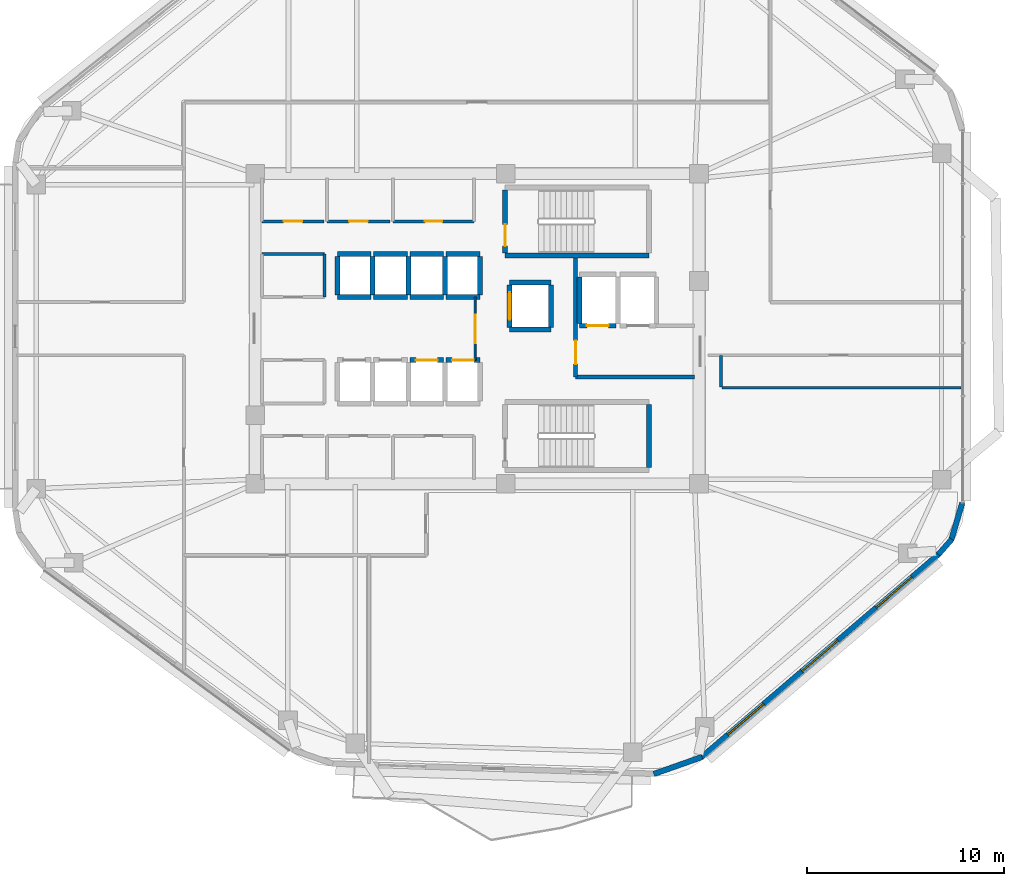
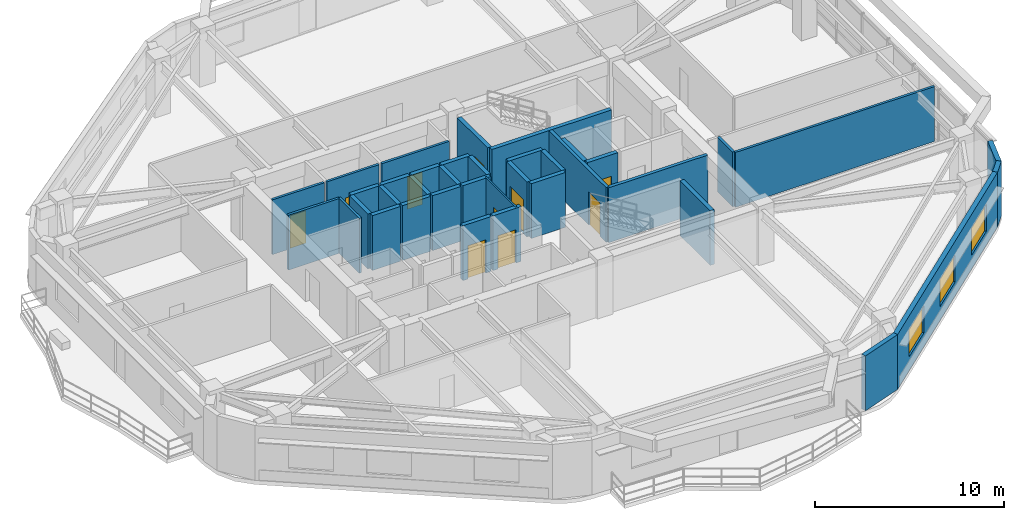
# One storey, part 9 of 14: 38 walls, 10 doors, 3 windows, 13 openings.
"""IFC4 building model written with IfcOpenShell, lengths in metres."""

from ifc_helpers import new_model, si_unit, direction, frame, frame_2d, origin, place, context, subcontext, project, spatial, rectangle, extrude, material, layer, layer_set, type_object, element, fill, save


model = new_model("IFC4")

# Units and contexts
model_context = context("Model", 3, precision=1e-05, world=origin(), true_north=direction((0.0, 1.0)))
body_context = subcontext(model_context, "Body", "Model", "MODEL_VIEW")
ifc_project = project(units=[si_unit("LENGTHUNIT", "METRE"), si_unit("AREAUNIT", "SQUARE_METRE"), si_unit("VOLUMEUNIT", "CUBIC_METRE"), si_unit("PLANEANGLEUNIT", "RADIAN"), si_unit("MASSUNIT", "GRAM", prefix="KILO")], contexts=[model_context])

# Site, building, storey
site_placement = place(None, origin())
site = spatial("IfcSite", under=ifc_project, at=site_placement, CompositionType="ELEMENT")
building_placement = place(site_placement, origin())
building = spatial("IfcBuilding", under=site, at=building_placement, Name="Zulverin Broadcast Headquarters", CompositionType="ELEMENT")
storey_placement = place(building_placement, frame((0.0, 0.0, 178.199951171875)))
storey = spatial("IfcBuildingStorey", under=building, at=storey_placement, Name="L45", CompositionType="ELEMENT", Elevation=178.199951171875)

# Wall, openings, windows
ifc_material_1 = material(Name="Insulated pale-metal clad concrete spandrel C40/50", Category="concrete")
ifc_layer_1 = layer(ifc_material_1, 0.280029296875, Name="Insulated pale-metal clad concrete spandrel C40/50", Category="concrete")
ifc_layer_set_1 = layer_set([ifc_layer_1], Name="Insulated pale-metal clad concrete spandrel C40/50")
wall_type_1 = type_object("IfcWallType", Name="WL-EXT-280", PredefinedType="STANDARD", material=ifc_layer_set_1)
wall_1_placement = place(storey_placement, frame((48.38525390625, 3.413818359375, 0.0), z_axis=(0.0, 0.0, 1.0), x_axis=(0.759700260779, 0.650273414628, 0.0)))
wall_1 = element("IfcWall", 1, at=wall_1_placement, inside=storey, type_object=wall_type_1, Name="L45 Pale-Metal Clad Spandrel Wall 2", PredefinedType="STANDARD", context=body_context, shape_type="SweptSolid", body=[
    extrude(rectangle(XDim=15.880859375, YDim=0.280029296875, at=frame_2d((7.9404296875, 0.0))), origin(), (0.0, 0.0, 1.0), 3.5400390625),
])
opening_1_placement = place(wall_1_placement, frame((1.780029296875, 0.0, 0.89990234375)))
opening_1 = element("IfcOpeningElement", 2, at=opening_1_placement, cuts=wall_1, Name="Opening W-L45-E21", PredefinedType="OPENING", context=body_context, shape_type="SweptSolid", body=[
    extrude(rectangle(XDim=2.39990234375, YDim=1.75, at=frame_2d((1.199951171875, 0.875))), frame((0.0, 0.14990234375, 0.0), z_axis=(0.0, -1.0, 0.0), x_axis=(1.0, 0.0, 0.0)), (0.0, 0.0, 1.0), 0.300048828125),
])
opening_2_placement = place(wall_1_placement, frame((6.740478515625, 0.0, 0.89990234375)))
opening_2 = element("IfcOpeningElement", 3, at=opening_2_placement, cuts=wall_1, Name="Opening W-L45-E22", PredefinedType="OPENING", context=body_context, shape_type="SweptSolid", body=[
    extrude(rectangle(XDim=2.39990234375, YDim=1.75, at=frame_2d((1.199951171875, 0.875))), frame((0.0, 0.14990234375, 0.0), z_axis=(0.0, -1.0, 0.0), x_axis=(1.0, 0.0, 0.0)), (0.0, 0.0, 1.0), 0.300048828125),
])
opening_3_placement = place(wall_1_placement, frame((11.70068359375, 0.0, 0.89990234375)))
opening_3 = element("IfcOpeningElement", 4, at=opening_3_placement, cuts=wall_1, Name="Opening W-L45-E23", PredefinedType="OPENING", context=body_context, shape_type="SweptSolid", body=[
    extrude(rectangle(XDim=2.39990234375, YDim=1.75, at=frame_2d((1.199951171875, 0.875))), frame((0.0, 0.14990234375, 0.0), z_axis=(0.0, -1.0, 0.0), x_axis=(1.0, 0.0, 0.0)), (0.0, 0.0, 1.0), 0.300048828125),
])
ifc_material_2 = material(Name="Pale anodized aluminium frame with solar-control low-E double glazing", Category="aluminium")
window_type = type_object("IfcWindowType", Name="WIN-RIB-2400", PartitioningType="SINGLE_PANEL", PredefinedType="WINDOW", material=ifc_material_2)
window_1_placement = place(opening_1_placement, origin())
window_1 = element("IfcWindow", 5, at=window_1_placement, inside=storey, type_object=window_type, Name="L45 Ribbon Glazing Window 2 1", OverallHeight=1.75, OverallWidth=2.39990234375, PartitioningType="SINGLE_PANEL", PredefinedType="WINDOW", context=body_context, shape_type="SweptSolid", body=[
    extrude(rectangle(XDim=2.39990234375, YDim=1.75, at=frame_2d((1.199951171875, 0.875))), frame((0.0, 0.030029296875, 0.0), z_axis=(0.0, -1.0, 0.0), x_axis=(1.0, 0.0, 0.0)), (0.0, 0.0, 1.0), 0.06005859375),
])
fill(opening_1, window_1)
window_2_placement = place(opening_2_placement, origin())
window_2 = element("IfcWindow", 6, at=window_2_placement, inside=storey, type_object=window_type, Name="L45 Ribbon Glazing Window 2 2", OverallHeight=1.75, OverallWidth=2.39990234375, PartitioningType="SINGLE_PANEL", PredefinedType="WINDOW", context=body_context, shape_type="SweptSolid", body=[
    extrude(rectangle(XDim=2.39990234375, YDim=1.75, at=frame_2d((1.199951171875, 0.875))), frame((0.0, 0.030029296875, 0.0), z_axis=(0.0, -1.0, 0.0), x_axis=(1.0, 0.0, 0.0)), (0.0, 0.0, 1.0), 0.06005859375),
])
fill(opening_2, window_2)
window_3_placement = place(opening_3_placement, origin())
window_3 = element("IfcWindow", 7, at=window_3_placement, inside=storey, type_object=window_type, Name="L45 Ribbon Glazing Window 2 3", OverallHeight=1.75, OverallWidth=2.39990234375, PartitioningType="SINGLE_PANEL", PredefinedType="WINDOW", context=body_context, shape_type="SweptSolid", body=[
    extrude(rectangle(XDim=2.39990234375, YDim=1.75, at=frame_2d((1.199951171875, 0.875))), frame((0.0, 0.030029296875, 0.0), z_axis=(0.0, -1.0, 0.0), x_axis=(1.0, 0.0, 0.0)), (0.0, 0.0, 1.0), 0.06005859375),
])
fill(opening_3, window_3)

# Walls
wall_2_placement = place(storey_placement, frame((45.974609375, 2.576416015625, 0.0), z_axis=(0.0, 0.0, 1.0), x_axis=(0.943377643365, 0.331720698781, 0.0)))
element("IfcWall", 8, at=wall_2_placement, inside=storey, type_object=wall_type_1, Name="L45 Wind-Shaped Corner Spandrel Wall 1-1", PredefinedType="STANDARD", context=body_context, shape_type="SweptSolid", body=[
    extrude(rectangle(XDim=2.6025390625, YDim=0.280029296875, at=frame_2d((1.30126953125, 0.0))), origin(), (0.0, 0.0, 1.0), 3.5400390625),
])
wall_3_placement = place(storey_placement, frame((60.435791015625, 13.7265625, 0.0), z_axis=(0.0, 0.0, 1.0), x_axis=(0.658571618609, 0.752518055041, 0.0)))
element("IfcWall", 9, at=wall_3_placement, inside=storey, type_object=wall_type_1, Name="L45 Wind-Shaped Corner Spandrel Wall 2-1", PredefinedType="STANDARD", context=body_context, shape_type="SweptSolid", body=[
    extrude(rectangle(XDim=1.03173828125, YDim=0.280029296875, at=frame_2d((0.515869140625, 0.0))), origin(), (0.0, 0.0, 1.0), 3.5400390625),
])
wall_4_placement = place(storey_placement, frame((61.08642578125, 14.450439453125, 0.0), z_axis=(0.0, 0.0, 1.0), x_axis=(0.283596460917, 0.958943714383, 0.0)))
element("IfcWall", 10, at=wall_4_placement, inside=storey, type_object=wall_type_1, Name="L45 Wind-Shaped Corner Spandrel Wall 2-2", PredefinedType="STANDARD", context=body_context, shape_type="SweptSolid", body=[
    extrude(rectangle(XDim=1.9775390625, YDim=0.280029296875, at=frame_2d((0.98876953125, 0.0))), origin(), (0.0, 0.0, 1.0), 3.5400390625),
])

# Wall, opening, door
ifc_material_3 = material(Name="Concrete C40/50", Category="concrete")
ifc_layer_2 = layer(ifc_material_3, 0.199951171875, Name="Concrete C40/50", Category="concrete")
ifc_layer_set_2 = layer_set([ifc_layer_2], Name="Concrete C40/50")
wall_type_2 = type_object("IfcWallType", Name="WL-FFL-200", PredefinedType="SOLIDWALL", material=ifc_layer_set_2)
wall_5_placement = place(storey_placement, frame((42.0, 22.75, 0.0), z_axis=(0.0, 0.0, 1.0), x_axis=(0.0, 1.0, 0.0)))
wall_5 = element("IfcWall", 11, at=wall_5_placement, inside=storey, type_object=wall_type_2, Name="L45 Firefighting Lift Lobby West Wall", PredefinedType="SOLIDWALL", context=body_context, shape_type="SweptSolid", body=[
    extrude(rectangle(XDim=6.050048828125, YDim=0.199951171875, at=frame_2d((3.02490234375, 0.0))), origin(), (0.0, 0.0, 1.0), 3.5400390625),
])
opening_4_placement = place(wall_5_placement, frame((0.64990234375, 0.0, 0.0)))
opening_4 = element("IfcOpeningElement", 12, at=opening_4_placement, cuts=wall_5, Name="Opening D-L45-FFLW", PredefinedType="OPENING", context=body_context, shape_type="SweptSolid", body=[
    extrude(rectangle(XDim=1.199951171875, YDim=2.14990234375, at=frame_2d((0.60009765625, 1.074951171875))), frame((0.0, 0.10986328125, 0.0), z_axis=(0.0, -1.0, 0.0), x_axis=(1.0, 0.0, 0.0)), (0.0, 0.0, 1.0), 0.219970703125),
])
ifc_material_4 = material(Name="Fire-rated steel leaf and frame", Category="steel")
door_type_1 = type_object("IfcDoorType", Name="DR-FFL-1200", OperationType="SINGLE_SWING_RIGHT", PredefinedType="DOOR", material=ifc_material_4)
door_1_placement = place(opening_4_placement, origin())
door_1 = element("IfcDoor", 13, at=door_1_placement, inside=storey, type_object=door_type_1, Name="L45 Firefighting Lift Lobby Door", OperationType="SINGLE_SWING_RIGHT", OverallHeight=2.14990234375, OverallWidth=1.199951171875, PredefinedType="DOOR", context=body_context, shape_type="SweptSolid", body=[
    extrude(rectangle(XDim=1.199951171875, YDim=2.14990234375, at=frame_2d((0.60009765625, 1.074951171875))), frame((0.0, 0.02490234375, 0.0), z_axis=(0.0, -1.0, 0.0), x_axis=(1.0, 0.0, 0.0)), (0.0, 0.0, 1.0), 0.050048828125),
])
fill(opening_4, door_1)

# Wall
wall_6_placement = place(storey_placement, frame((42.0, 22.75, 0.0), z_axis=(0.0, 0.0, 1.0), x_axis=(1.0, 0.0, 0.0)))
element("IfcWall", 14, at=wall_6_placement, inside=storey, type_object=wall_type_2, Name="L45 Firefighting Lift Lobby South Wall", PredefinedType="SOLIDWALL", context=body_context, shape_type="SweptSolid", body=[
    extrude(rectangle(XDim=6.050048828125, YDim=0.199951171875, at=frame_2d((3.02490234375, 0.0))), origin(), (0.0, 0.0, 1.0), 3.5400390625),
])

# Wall, opening, door
ifc_material_5 = material(Name="Fire-rated acoustic laminated glass screen", Category="glass")
ifc_layer_3 = layer(ifc_material_5, 0.10009765625, Name="Fire-rated acoustic laminated glass screen", Category="glass")
ifc_layer_set_3 = layer_set([ifc_layer_3], Name="Fire-rated acoustic laminated glass screen")
wall_type_3 = type_object("IfcWallType", Name="WL-GLAZ-100", PredefinedType="PARTITIONING", material=ifc_layer_set_3)
wall_7_placement = place(storey_placement, frame((36.89990234375, 23.60009765625, 0.0), z_axis=(0.0, 0.0, 1.0), x_axis=(0.0, 1.0, 0.0)))
wall_7 = element("IfcWall", 15, at=wall_7_placement, inside=storey, type_object=wall_type_3, Name="L45 Core Goods & Stair Hall Screen", PredefinedType="PARTITIONING", context=body_context, shape_type="SweptSolid", body=[
    extrude(rectangle(XDim=3.199951171875, YDim=0.10009765625, at=frame_2d((1.60009765625, 0.0))), origin(), (0.0, 0.0, 1.0), 3.5400390625),
])
opening_5_placement = place(wall_7_placement, frame((0.85009765625, 0.0, 0.0)))
opening_5 = element("IfcOpeningElement", 16, at=opening_5_placement, cuts=wall_7, Name="Opening D-L45-CL3", PredefinedType="OPENING", context=body_context, shape_type="SweptSolid", body=[
    extrude(rectangle(XDim=1.449951171875, YDim=2.1201171875, at=frame_2d((0.72509765625, 1.06005859375))), frame((0.0, 0.06005859375, 0.0), z_axis=(0.0, -1.0, 0.0), x_axis=(1.0, 0.0, 0.0)), (0.0, 0.0, 1.0), 0.1201171875),
])
ifc_material_6 = material(Name="Fire-rated acoustic glazed double leaf", Category="glass")
door_type_2 = type_object("IfcDoorType", Name="DR-GLZ-1450", OperationType="DOUBLE_DOOR_SINGLE_SWING", PredefinedType="DOOR", material=ifc_material_6)
door_2_placement = place(opening_5_placement, origin())
door_2 = element("IfcDoor", 17, at=door_2_placement, inside=storey, type_object=door_type_2, Name="L45 Core Goods & Stair Hall Door", OperationType="DOUBLE_DOOR_SINGLE_SWING", OverallHeight=2.1201171875, OverallWidth=1.449951171875, PredefinedType="DOOR", context=body_context, shape_type="SweptSolid", body=[
    extrude(rectangle(XDim=1.449951171875, YDim=2.1201171875, at=frame_2d((0.72509765625, 1.06005859375))), frame((0.0, 0.02490234375, 0.0), z_axis=(0.0, -1.0, 0.0), x_axis=(1.0, 0.0, 0.0)), (0.0, 0.0, 1.0), 0.050048828125),
])
fill(opening_5, door_2)

ifc_material_7 = material(Name="Fire-rated gypsum stud partition", Category="gypsum")
ifc_layer_4 = layer(ifc_material_7, 0.14990234375, Name="Fire-rated gypsum stud partition", Category="gypsum")
ifc_layer_set_4 = layer_set([ifc_layer_4], Name="Fire-rated gypsum stud partition")
wall_type_4 = type_object("IfcWallType", Name="WL-PART-150", PredefinedType="PARTITIONING", material=ifc_layer_set_4)
wall_8_placement = place(storey_placement, frame((26.070068359375, 30.64990234375, 0.0), z_axis=(0.0, 0.0, 1.0), x_axis=(1.0, 0.0, 0.0)))
wall_8 = element("IfcWall", 18, at=wall_8_placement, inside=storey, type_object=wall_type_4, Name="L45 Core Male WC Front Wall", PredefinedType="PARTITIONING", context=body_context, shape_type="SweptSolid", body=[
    extrude(rectangle(XDim=3.14990234375, YDim=0.14990234375, at=frame_2d((1.574951171875, 0.0))), origin(), (0.0, 0.0, 1.0), 3.5400390625),
])
opening_6_placement = place(wall_8_placement, frame((1.10009765625, 0.0, 0.0)))
opening_6 = element("IfcOpeningElement", 19, at=opening_6_placement, cuts=wall_8, Name="Opening D-L45-NC1", PredefinedType="OPENING", context=body_context, shape_type="SweptSolid", body=[
    extrude(rectangle(XDim=0.949951171875, YDim=2.10009765625, at=frame_2d((0.47509765625, 1.050048828125))), frame((0.0, 0.0849609375, 0.0), z_axis=(0.0, -1.0, 0.0), x_axis=(1.0, 0.0, 0.0)), (0.0, 0.0, 1.0), 0.169921875),
])
ifc_material_8 = material(Name="Fire-rated moisture-resistant laminate leaf", Category="wood")
door_type_3 = type_object("IfcDoorType", Name="DR-WC-950", OperationType="SINGLE_SWING_LEFT", PredefinedType="DOOR", material=ifc_material_8)
door_3_placement = place(opening_6_placement, origin())
door_3 = element("IfcDoor", 20, at=door_3_placement, inside=storey, type_object=door_type_3, Name="L45 Male WC Door", OperationType="SINGLE_SWING_LEFT", OverallHeight=2.10009765625, OverallWidth=0.949951171875, PredefinedType="DOOR", context=body_context, shape_type="SweptSolid", body=[
    extrude(rectangle(XDim=0.949951171875, YDim=2.10009765625, at=frame_2d((0.47509765625, 1.050048828125))), frame((0.0, 0.02490234375, 0.0), z_axis=(0.0, -1.0, 0.0), x_axis=(1.0, 0.0, 0.0)), (0.0, 0.0, 1.0), 0.050048828125),
])
fill(opening_6, door_3)

wall_9_placement = place(storey_placement, frame((29.3798828125, 30.64990234375, 0.0), z_axis=(0.0, 0.0, 1.0), x_axis=(1.0, 0.0, 0.0)))
wall_9 = element("IfcWall", 21, at=wall_9_placement, inside=storey, type_object=wall_type_4, Name="L45 Core Accessible WC Front Wall", PredefinedType="PARTITIONING", context=body_context, shape_type="SweptSolid", body=[
    extrude(rectangle(XDim=3.190185546875, YDim=0.14990234375, at=frame_2d((1.59521484375, 0.0))), origin(), (0.0, 0.0, 1.0), 3.5400390625),
])
opening_7_placement = place(wall_9_placement, frame((1.1201171875, 0.0, 0.0)))
opening_7 = element("IfcOpeningElement", 22, at=opening_7_placement, cuts=wall_9, Name="Opening D-L45-NC2", PredefinedType="OPENING", context=body_context, shape_type="SweptSolid", body=[
    extrude(rectangle(XDim=0.949951171875, YDim=2.10009765625, at=frame_2d((0.47509765625, 1.050048828125))), frame((0.0, 0.0849609375, 0.0), z_axis=(0.0, -1.0, 0.0), x_axis=(1.0, 0.0, 0.0)), (0.0, 0.0, 1.0), 0.169921875),
])
door_4_placement = place(opening_7_placement, origin())
door_4 = element("IfcDoor", 23, at=door_4_placement, inside=storey, type_object=door_type_3, Name="L45 Accessible WC Door", OperationType="SINGLE_SWING_RIGHT", OverallHeight=2.10009765625, OverallWidth=0.949951171875, PredefinedType="DOOR", context=body_context, shape_type="SweptSolid", body=[
    extrude(rectangle(XDim=0.949951171875, YDim=2.10009765625, at=frame_2d((0.47509765625, 1.050048828125))), frame((0.0, 0.02490234375, 0.0), z_axis=(0.0, -1.0, 0.0), x_axis=(1.0, 0.0, 0.0)), (0.0, 0.0, 1.0), 0.050048828125),
])
fill(opening_7, door_4)

wall_10_placement = place(storey_placement, frame((32.72998046875, 30.64990234375, 0.0), z_axis=(0.0, 0.0, 1.0), x_axis=(1.0, 0.0, 0.0)))
wall_10 = element("IfcWall", 24, at=wall_10_placement, inside=storey, type_object=wall_type_4, Name="L45 Core Electrical Distribution Riser Front Wall", PredefinedType="PARTITIONING", context=body_context, shape_type="SweptSolid", body=[
    extrude(rectangle(XDim=4.1201171875, YDim=0.14990234375, at=frame_2d((2.06005859375, 0.0))), origin(), (0.0, 0.0, 1.0), 3.5400390625),
])
opening_8_placement = place(wall_10_placement, frame((1.610107421875, 0.0, 0.0)))
opening_8 = element("IfcOpeningElement", 25, at=opening_8_placement, cuts=wall_10, Name="Opening D-L45-NC3", PredefinedType="OPENING", context=body_context, shape_type="SweptSolid", body=[
    extrude(rectangle(XDim=0.89990234375, YDim=2.10009765625, at=frame_2d((0.449951171875, 1.050048828125))), frame((0.0, 0.0849609375, 0.0), z_axis=(0.0, -1.0, 0.0), x_axis=(1.0, 0.0, 0.0)), (0.0, 0.0, 1.0), 0.169921875),
])
ifc_material_9 = material(Name="Powder-coated steel access leaf", Category="steel")
door_type_4 = type_object("IfcDoorType", Name="DR-RISER-900", OperationType="SINGLE_SWING_LEFT", PredefinedType="DOOR", material=ifc_material_9)
door_5_placement = place(opening_8_placement, origin())
door_5 = element("IfcDoor", 26, at=door_5_placement, inside=storey, type_object=door_type_4, Name="L45 Electrical Distribution Riser Door", OperationType="SINGLE_SWING_LEFT", OverallHeight=2.10009765625, OverallWidth=0.89990234375, PredefinedType="DOOR", context=body_context, shape_type="SweptSolid", body=[
    extrude(rectangle(XDim=0.89990234375, YDim=2.10009765625, at=frame_2d((0.449951171875, 1.050048828125))), frame((0.0, 0.02490234375, 0.0), z_axis=(0.0, -1.0, 0.0), x_axis=(1.0, 0.0, 0.0)), (0.0, 0.0, 1.0), 0.050048828125),
])
fill(opening_8, door_5)

# Walls
wall_11_placement = place(storey_placement, frame((26.070068359375, 29.0, 0.0), z_axis=(0.0, 0.0, 1.0), x_axis=(1.0, 0.0, 0.0)))
element("IfcWall", 27, at=wall_11_placement, inside=storey, type_object=wall_type_4, Name="L45 Core UPS Battery Store N Wall", PredefinedType="PARTITIONING", context=body_context, shape_type="SweptSolid", body=[
    extrude(rectangle(XDim=3.179931640625, YDim=0.14990234375, at=frame_2d((1.58984375, 0.0))), origin(), (0.0, 0.0, 1.0), 3.5400390625),
])
wall_12_placement = place(storey_placement, frame((29.25, 26.800048828125, 0.0), z_axis=(0.0, 0.0, 1.0), x_axis=(0.0, 1.0, 0.0)))
element("IfcWall", 28, at=wall_12_placement, inside=storey, type_object=wall_type_4, Name="L45 Core UPS Battery Store E Wall", PredefinedType="PARTITIONING", context=body_context, shape_type="SweptSolid", body=[
    extrude(rectangle(XDim=2.199951171875, YDim=0.14990234375, at=frame_2d((1.10009765625, 0.0))), origin(), (0.0, 0.0, 1.0), 3.5400390625),
])
wall_13_placement = place(storey_placement, frame((49.39990234375, 22.239990234375, 0.0), z_axis=(0.0, 0.0, 1.0), x_axis=(0.0, 1.0, 0.0)))
element("IfcWall", 29, at=wall_13_placement, inside=storey, type_object=wall_type_4, Name="L45 Room Partition Wall RP-02", PredefinedType="PARTITIONING", context=body_context, shape_type="SweptSolid", body=[
    extrude(rectangle(XDim=1.609130859375, YDim=0.14990234375, at=frame_2d((0.8046875, 0.0))), origin(), (0.0, 0.0, 1.0), 3.5400390625),
])
wall_14_placement = place(storey_placement, frame((49.43994140625, 22.199951171875, 0.0), z_axis=(0.0, 0.0, 1.0), x_axis=(1.0, 0.0, 0.0)))
element("IfcWall", 30, at=wall_14_placement, inside=storey, type_object=wall_type_4, Name="L45 Room Partition Wall RP-08", PredefinedType="PARTITIONING", context=body_context, shape_type="SweptSolid", body=[
    extrude(rectangle(XDim=12.155029296875, YDim=0.14990234375, at=frame_2d((6.07763671875, 0.0))), origin(), (0.0, 0.0, 1.0), 3.5400390625),
])
ifc_material_10 = material(Name="Concrete C50/60", Category="concrete")
ifc_layer_5 = layer(ifc_material_10, 0.25, Name="Concrete C50/60", Category="concrete")
ifc_layer_set_5 = layer_set([ifc_layer_5], Name="Concrete C50/60")
wall_type_5 = type_object("IfcWallType", Name="WL-SHAFT-250", PredefinedType="SHEAR", material=ifc_layer_set_5)
wall_15_placement = place(storey_placement, frame((38.425048828125, 28.925048828125, 0.0), z_axis=(0.0, 0.0, 1.0), x_axis=(1.0, 0.0, 0.0)))
element("IfcWall", 31, at=wall_15_placement, inside=storey, type_object=wall_type_5, Name="L45 ST-1 Enclosure Wall S", PredefinedType="SHEAR", context=body_context, shape_type="SweptSolid", body=[
    extrude(rectangle(XDim=7.300048828125, YDim=0.25, at=frame_2d((3.64990234375, 0.0))), origin(), (0.0, 0.0, 1.0), 3.5400390625),
])

# Wall, opening, door
wall_16_placement = place(storey_placement, frame((38.425048828125, 29.050048828125, 0.0), z_axis=(0.0, 0.0, 1.0), x_axis=(0.0, 1.0, 0.0)))
wall_16 = element("IfcWall", 32, at=wall_16_placement, inside=storey, type_object=wall_type_5, Name="L45 ST-1 Enclosure Wall W", PredefinedType="SHEAR", context=body_context, shape_type="SweptSolid", body=[
    extrude(rectangle(XDim=3.199951171875, YDim=0.25, at=frame_2d((1.60009765625, 0.0))), origin(), (0.0, 0.0, 1.0), 3.5400390625),
])
opening_9_placement = place(wall_16_placement, frame((0.35009765625, 0.0, 0.0)))
opening_9 = element("IfcOpeningElement", 33, at=opening_9_placement, cuts=wall_16, Name="Opening D-L45-ST-1", PredefinedType="OPENING", context=body_context, shape_type="SweptSolid", body=[
    extrude(rectangle(XDim=1.10009765625, YDim=2.14990234375, at=frame_2d((0.550048828125, 1.074951171875))), frame((0.0, 0.135009765625, 0.0), z_axis=(0.0, -1.0, 0.0), x_axis=(1.0, 0.0, 0.0)), (0.0, 0.0, 1.0), 0.27001953125),
])
door_type_5 = type_object("IfcDoorType", Name="DR-STAIR-1100", OperationType="SINGLE_SWING_LEFT", PredefinedType="DOOR", material=ifc_material_4)
door_6_placement = place(opening_9_placement, origin())
door_6 = element("IfcDoor", 34, at=door_6_placement, inside=storey, type_object=door_type_5, Name="L45 Exit Stair ST-1 Fire Door", OperationType="SINGLE_SWING_LEFT", OverallHeight=2.14990234375, OverallWidth=1.10009765625, PredefinedType="DOOR", context=body_context, shape_type="SweptSolid", body=[
    extrude(rectangle(XDim=1.10009765625, YDim=2.14990234375, at=frame_2d((0.550048828125, 1.074951171875))), frame((0.0, 0.02490234375, 0.0), z_axis=(0.0, -1.0, 0.0), x_axis=(1.0, 0.0, 0.0)), (0.0, 0.0, 1.0), 0.050048828125),
])
fill(opening_9, door_6)

# Wall
wall_17_placement = place(storey_placement, frame((45.72509765625, 18.14990234375, 0.0), z_axis=(0.0, 0.0, 1.0), x_axis=(0.0, 1.0, 0.0)))
element("IfcWall", 35, at=wall_17_placement, inside=storey, type_object=wall_type_5, Name="L45 ST-2 Enclosure Wall E", PredefinedType="SHEAR", context=body_context, shape_type="SweptSolid", body=[
    extrude(rectangle(XDim=3.2001953125, YDim=0.25, at=frame_2d((1.60009765625, 0.0))), origin(), (0.0, 0.0, 1.0), 3.5400390625),
])

# Wall, opening, door
wall_18_placement = place(storey_placement, frame((33.580078125, 23.60009765625, 0.0), z_axis=(0.0, 0.0, 1.0), x_axis=(1.0, 0.0, 0.0)))
wall_18 = element("IfcWall", 36, at=wall_18_placement, inside=storey, type_object=wall_type_5, Name="L45 Lift PL-M3 Shaft Wall N", PredefinedType="SHEAR", context=body_context, shape_type="SweptSolid", body=[
    extrude(rectangle(XDim=1.719970703125, YDim=0.25, at=frame_2d((0.85986328125, 0.0))), origin(), (0.0, 0.0, 1.0), 3.5400390625),
])
opening_10_placement = place(wall_18_placement, frame((0.31005859375, 0.0, 0.0)))
opening_10 = element("IfcOpeningElement", 37, at=opening_10_placement, cuts=wall_18, Name="Opening LD-PL-M3-L45", PredefinedType="OPENING", context=body_context, shape_type="SweptSolid", body=[
    extrude(rectangle(XDim=1.10009765625, YDim=2.14990234375, at=frame_2d((0.550048828125, 1.074951171875))), frame((0.0, 0.135009765625, 0.0), z_axis=(0.0, -1.0, 0.0), x_axis=(1.0, 0.0, 0.0)), (0.0, 0.0, 1.0), 0.27001953125),
])
ifc_material_11 = material(Name="Brushed stainless steel landing", Category="steel")
door_type_6 = type_object("IfcDoorType", Name="LD-PASS-1100", OperationType="DOUBLE_DOOR_SLIDING", PredefinedType="DOOR", material=ifc_material_11)
door_7_placement = place(opening_10_placement, origin())
door_7 = element("IfcDoor", 38, at=door_7_placement, inside=storey, type_object=door_type_6, Name="L45 Lift PL-M3 Sliding Landing Door", OperationType="DOUBLE_DOOR_SLIDING", OverallHeight=2.14990234375, OverallWidth=1.10009765625, PredefinedType="DOOR", context=body_context, shape_type="SweptSolid", body=[
    extrude(rectangle(XDim=1.10009765625, YDim=2.14990234375, at=frame_2d((0.550048828125, 1.074951171875))), frame((0.0, 0.02490234375, 0.0), z_axis=(0.0, -1.0, 0.0), x_axis=(1.0, 0.0, 0.0)), (0.0, 0.0, 1.0), 0.050048828125),
])
fill(opening_10, door_7)

wall_19_placement = place(storey_placement, frame((35.419921875, 23.60009765625, 0.0), z_axis=(0.0, 0.0, 1.0), x_axis=(1.0, 0.0, 0.0)))
wall_19 = element("IfcWall", 39, at=wall_19_placement, inside=storey, type_object=wall_type_5, Name="L45 Lift PL-M4 Shaft Wall N", PredefinedType="SHEAR", context=body_context, shape_type="SweptSolid", body=[
    extrude(rectangle(XDim=1.719970703125, YDim=0.25, at=frame_2d((0.85986328125, 0.0))), origin(), (0.0, 0.0, 1.0), 3.5400390625),
])
opening_11_placement = place(wall_19_placement, frame((0.31005859375, 0.0, 0.0)))
opening_11 = element("IfcOpeningElement", 40, at=opening_11_placement, cuts=wall_19, Name="Opening LD-PL-M4-L45", PredefinedType="OPENING", context=body_context, shape_type="SweptSolid", body=[
    extrude(rectangle(XDim=1.10009765625, YDim=2.14990234375, at=frame_2d((0.550048828125, 1.074951171875))), frame((0.0, 0.135009765625, 0.0), z_axis=(0.0, -1.0, 0.0), x_axis=(1.0, 0.0, 0.0)), (0.0, 0.0, 1.0), 0.27001953125),
])
door_8_placement = place(opening_11_placement, origin())
door_8 = element("IfcDoor", 41, at=door_8_placement, inside=storey, type_object=door_type_6, Name="L45 Lift PL-M4 Sliding Landing Door", OperationType="DOUBLE_DOOR_SLIDING", OverallHeight=2.14990234375, OverallWidth=1.10009765625, PredefinedType="DOOR", context=body_context, shape_type="SweptSolid", body=[
    extrude(rectangle(XDim=1.10009765625, YDim=2.14990234375, at=frame_2d((0.550048828125, 1.074951171875))), frame((0.0, 0.02490234375, 0.0), z_axis=(0.0, -1.0, 0.0), x_axis=(1.0, 0.0, 0.0)), (0.0, 0.0, 1.0), 0.050048828125),
])
fill(opening_11, door_8)

# Walls
for number, where, z_axis, x_axis, name in (
    (42, (29.89990234375, 26.800048828125, 0.0), (0.0, 0.0, 1.0), (1.0, 0.0, 0.0), "L45 Lift PL-H1 Shaft Wall S"),
    (43, (29.89990234375, 29.0, 0.0), (0.0, 0.0, 1.0), (1.0, 0.0, 0.0), "L45 Lift PL-H1 Shaft Wall N"),
):
    element("IfcWall", number, at=place(storey_placement, frame(where, z_axis=z_axis, x_axis=x_axis)), inside=storey, type_object=wall_type_5, Name=name, PredefinedType="SHEAR", context=body_context, shape_type="SweptSolid", body=[
        extrude(rectangle(XDim=1.72021484375, YDim=0.25, at=frame_2d((0.860107421875, 0.0))), origin(), (0.0, 0.0, 1.0), 3.5400390625),
    ])
for number, where, z_axis, x_axis, name in (
    (44, (29.89990234375, 26.919921875, 0.0), (0.0, 0.0, 1.0), (0.0, 1.0, 0.0), "L45 Lift PL-H1 Shaft Wall W"),
    (45, (31.679931640625, 26.919921875, 0.0), (0.0, 0.0, 1.0), (0.0, 1.0, 0.0), "L45 Lift PL-H1 Shaft Wall E"),
):
    element("IfcWall", number, at=place(storey_placement, frame(where, z_axis=z_axis, x_axis=x_axis)), inside=storey, type_object=wall_type_5, Name=name, PredefinedType="SHEAR", context=body_context, shape_type="SweptSolid", body=[
        extrude(rectangle(XDim=1.9599609375, YDim=0.25, at=frame_2d((0.97998046875, 0.0))), origin(), (0.0, 0.0, 1.0), 3.5400390625),
    ])
for number, where, z_axis, x_axis, name in (
    (46, (31.739990234375, 26.800048828125, 0.0), (0.0, 0.0, 1.0), (1.0, 0.0, 0.0), "L45 Lift PL-H2 Shaft Wall S"),
    (47, (31.739990234375, 29.0, 0.0), (0.0, 0.0, 1.0), (1.0, 0.0, 0.0), "L45 Lift PL-H2 Shaft Wall N"),
):
    element("IfcWall", number, at=place(storey_placement, frame(where, z_axis=z_axis, x_axis=x_axis)), inside=storey, type_object=wall_type_5, Name=name, PredefinedType="SHEAR", context=body_context, shape_type="SweptSolid", body=[
        extrude(rectangle(XDim=1.719970703125, YDim=0.25, at=frame_2d((0.85986328125, 0.0))), origin(), (0.0, 0.0, 1.0), 3.5400390625),
    ])
wall_20_placement = place(storey_placement, frame((33.52001953125, 26.919921875, 0.0), z_axis=(0.0, 0.0, 1.0), x_axis=(0.0, 1.0, 0.0)))
element("IfcWall", 48, at=wall_20_placement, inside=storey, type_object=wall_type_5, Name="L45 Lift PL-H2 Shaft Wall E", PredefinedType="SHEAR", context=body_context, shape_type="SweptSolid", body=[
    extrude(rectangle(XDim=1.9599609375, YDim=0.25, at=frame_2d((0.97998046875, 0.0))), origin(), (0.0, 0.0, 1.0), 3.5400390625),
])
for number, where, z_axis, x_axis, name in (
    (49, (33.580078125, 26.800048828125, 0.0), (0.0, 0.0, 1.0), (1.0, 0.0, 0.0), "L45 Lift PL-H3 Shaft Wall S"),
    (50, (33.580078125, 29.0, 0.0), (0.0, 0.0, 1.0), (1.0, 0.0, 0.0), "L45 Lift PL-H3 Shaft Wall N"),
):
    element("IfcWall", number, at=place(storey_placement, frame(where, z_axis=z_axis, x_axis=x_axis)), inside=storey, type_object=wall_type_5, Name=name, PredefinedType="SHEAR", context=body_context, shape_type="SweptSolid", body=[
        extrude(rectangle(XDim=1.719970703125, YDim=0.25, at=frame_2d((0.85986328125, 0.0))), origin(), (0.0, 0.0, 1.0), 3.5400390625),
    ])
wall_21_placement = place(storey_placement, frame((35.360107421875, 26.919921875, 0.0), z_axis=(0.0, 0.0, 1.0), x_axis=(0.0, 1.0, 0.0)))
element("IfcWall", 51, at=wall_21_placement, inside=storey, type_object=wall_type_5, Name="L45 Lift PL-H3 Shaft Wall E", PredefinedType="SHEAR", context=body_context, shape_type="SweptSolid", body=[
    extrude(rectangle(XDim=1.9599609375, YDim=0.25, at=frame_2d((0.97998046875, 0.0))), origin(), (0.0, 0.0, 1.0), 3.5400390625),
])
for number, where, z_axis, x_axis, name in (
    (52, (35.419921875, 26.800048828125, 0.0), (0.0, 0.0, 1.0), (1.0, 0.0, 0.0), "L45 Lift PL-H4 Shaft Wall S"),
    (53, (35.419921875, 29.0, 0.0), (0.0, 0.0, 1.0), (1.0, 0.0, 0.0), "L45 Lift PL-H4 Shaft Wall N"),
):
    element("IfcWall", number, at=place(storey_placement, frame(where, z_axis=z_axis, x_axis=x_axis)), inside=storey, type_object=wall_type_5, Name=name, PredefinedType="SHEAR", context=body_context, shape_type="SweptSolid", body=[
        extrude(rectangle(XDim=1.719970703125, YDim=0.25, at=frame_2d((0.85986328125, 0.0))), origin(), (0.0, 0.0, 1.0), 3.5400390625),
    ])
wall_22_placement = place(storey_placement, frame((37.139892578125, 26.919921875, 0.0), z_axis=(0.0, 0.0, 1.0), x_axis=(0.0, 1.0, 0.0)))
element("IfcWall", 54, at=wall_22_placement, inside=storey, type_object=wall_type_5, Name="L45 Lift PL-H4 Shaft Wall E", PredefinedType="SHEAR", context=body_context, shape_type="SweptSolid", body=[
    extrude(rectangle(XDim=1.9599609375, YDim=0.25, at=frame_2d((0.97998046875, 0.0))), origin(), (0.0, 0.0, 1.0), 3.5400390625),
])

# Wall, opening, door
wall_23_placement = place(storey_placement, frame((42.199951171875, 25.35009765625, 0.0), z_axis=(0.0, 0.0, 1.0), x_axis=(1.0, 0.0, 0.0)))
wall_23 = element("IfcWall", 55, at=wall_23_placement, inside=storey, type_object=wall_type_5, Name="L45 Lift FFL-1 Shaft Wall S", PredefinedType="SHEAR", context=body_context, shape_type="SweptSolid", body=[
    extrude(rectangle(XDim=1.85009765625, YDim=0.25, at=frame_2d((0.925048828125, 0.0))), origin(), (0.0, 0.0, 1.0), 3.5400390625),
])
opening_12_placement = place(wall_23_placement, frame((0.375, 0.0, 0.0)))
opening_12 = element("IfcOpeningElement", 56, at=opening_12_placement, cuts=wall_23, Name="Opening LD-FFL-1-L45", PredefinedType="OPENING", context=body_context, shape_type="SweptSolid", body=[
    extrude(rectangle(XDim=1.10009765625, YDim=2.14990234375, at=frame_2d((0.550048828125, 1.074951171875))), frame((0.0, 0.135009765625, 0.0), z_axis=(0.0, -1.0, 0.0), x_axis=(1.0, 0.0, 0.0)), (0.0, 0.0, 1.0), 0.27001953125),
])
ifc_material_12 = material(Name="Fire-rated stainless landing door", Category="steel")
door_type_7 = type_object("IfcDoorType", Name="LD-FFL-1100", OperationType="DOUBLE_DOOR_SLIDING", PredefinedType="DOOR", material=ifc_material_12)
door_9_placement = place(opening_12_placement, origin())
door_9 = element("IfcDoor", 57, at=door_9_placement, inside=storey, type_object=door_type_7, Name="L45 Lift FFL-1 Sliding Landing Door", OperationType="DOUBLE_DOOR_SLIDING", OverallHeight=2.14990234375, OverallWidth=1.10009765625, PredefinedType="DOOR", context=body_context, shape_type="SweptSolid", body=[
    extrude(rectangle(XDim=1.10009765625, YDim=2.14990234375, at=frame_2d((0.550048828125, 1.074951171875))), frame((0.0, 0.02490234375, 0.0), z_axis=(0.0, -1.0, 0.0), x_axis=(1.0, 0.0, 0.0)), (0.0, 0.0, 1.0), 0.050048828125),
])
fill(opening_12, door_9)

# Walls
wall_24_placement = place(storey_placement, frame((42.199951171875, 25.469970703125, 0.0), z_axis=(0.0, 0.0, 1.0), x_axis=(0.0, 1.0, 0.0)))
element("IfcWall", 58, at=wall_24_placement, inside=storey, type_object=wall_type_5, Name="L45 Lift FFL-1 Shaft Wall W", PredefinedType="SHEAR", context=body_context, shape_type="SweptSolid", body=[
    extrude(rectangle(XDim=2.360107421875, YDim=0.25, at=frame_2d((1.18017578125, 0.0))), origin(), (0.0, 0.0, 1.0), 3.5400390625),
])
for number, where, z_axis, x_axis, name in (
    (59, (38.64990234375, 25.14990234375, 0.0), (0.0, 0.0, 1.0), (1.0, 0.0, 0.0), "L45 Lift SVL-1 Shaft Wall S"),
    (60, (38.64990234375, 27.550048828125, 0.0), (0.0, 0.0, 1.0), (1.0, 0.0, 0.0), "L45 Lift SVL-1 Shaft Wall N"),
):
    element("IfcWall", number, at=place(storey_placement, frame(where, z_axis=z_axis, x_axis=x_axis)), inside=storey, type_object=wall_type_5, Name=name, PredefinedType="SHEAR", context=body_context, shape_type="SweptSolid", body=[
        extrude(rectangle(XDim=2.10009765625, YDim=0.25, at=frame_2d((1.050048828125, 0.0))), origin(), (0.0, 0.0, 1.0), 3.5400390625),
    ])

# Wall, opening, door
wall_25_placement = place(storey_placement, frame((38.64990234375, 25.27001953125, 0.0), z_axis=(0.0, 0.0, 1.0), x_axis=(0.0, 1.0, 0.0)))
wall_25 = element("IfcWall", 61, at=wall_25_placement, inside=storey, type_object=wall_type_5, Name="L45 Lift SVL-1 Shaft Wall W", PredefinedType="SHEAR", context=body_context, shape_type="SweptSolid", body=[
    extrude(rectangle(XDim=2.159912109375, YDim=0.25, at=frame_2d((1.080078125, 0.0))), origin(), (0.0, 0.0, 1.0), 3.5400390625),
])
opening_13_placement = place(wall_25_placement, frame((0.3798828125, 0.0, 0.0)))
opening_13 = element("IfcOpeningElement", 62, at=opening_13_placement, cuts=wall_25, Name="Opening LD-SVL-1-L45", PredefinedType="OPENING", context=body_context, shape_type="SweptSolid", body=[
    extrude(rectangle(XDim=1.39990234375, YDim=2.199951171875, at=frame_2d((0.699951171875, 1.10009765625))), frame((0.0, 0.135009765625, 0.0), z_axis=(0.0, -1.0, 0.0), x_axis=(1.0, 0.0, 0.0)), (0.0, 0.0, 1.0), 0.27001953125),
])
ifc_material_13 = material(Name="Heavy-duty stainless landing door", Category="steel")
door_type_8 = type_object("IfcDoorType", Name="LD-GOODS-1400", OperationType="DOUBLE_DOOR_SLIDING", PredefinedType="DOOR", material=ifc_material_13)
door_10_placement = place(opening_13_placement, origin())
door_10 = element("IfcDoor", 63, at=door_10_placement, inside=storey, type_object=door_type_8, Name="L45 Lift SVL-1 Sliding Landing Door", OperationType="DOUBLE_DOOR_SLIDING", OverallHeight=2.199951171875, OverallWidth=1.39990234375, PredefinedType="DOOR", context=body_context, shape_type="SweptSolid", body=[
    extrude(rectangle(XDim=1.39990234375, YDim=2.199951171875, at=frame_2d((0.699951171875, 1.10009765625))), frame((0.0, 0.02490234375, 0.0), z_axis=(0.0, -1.0, 0.0), x_axis=(1.0, 0.0, 0.0)), (0.0, 0.0, 1.0), 0.050048828125),
])
fill(opening_13, door_10)

# Wall
wall_26_placement = place(storey_placement, frame((40.75, 25.27001953125, 0.0), z_axis=(0.0, 0.0, 1.0), x_axis=(0.0, 1.0, 0.0)))
element("IfcWall", 64, at=wall_26_placement, inside=storey, type_object=wall_type_5, Name="L45 Lift SVL-1 Shaft Wall E", PredefinedType="SHEAR", context=body_context, shape_type="SweptSolid", body=[
    extrude(rectangle(XDim=2.159912109375, YDim=0.25, at=frame_2d((1.080078125, 0.0))), origin(), (0.0, 0.0, 1.0), 3.5400390625),
])

save(model, "model.ifc")
